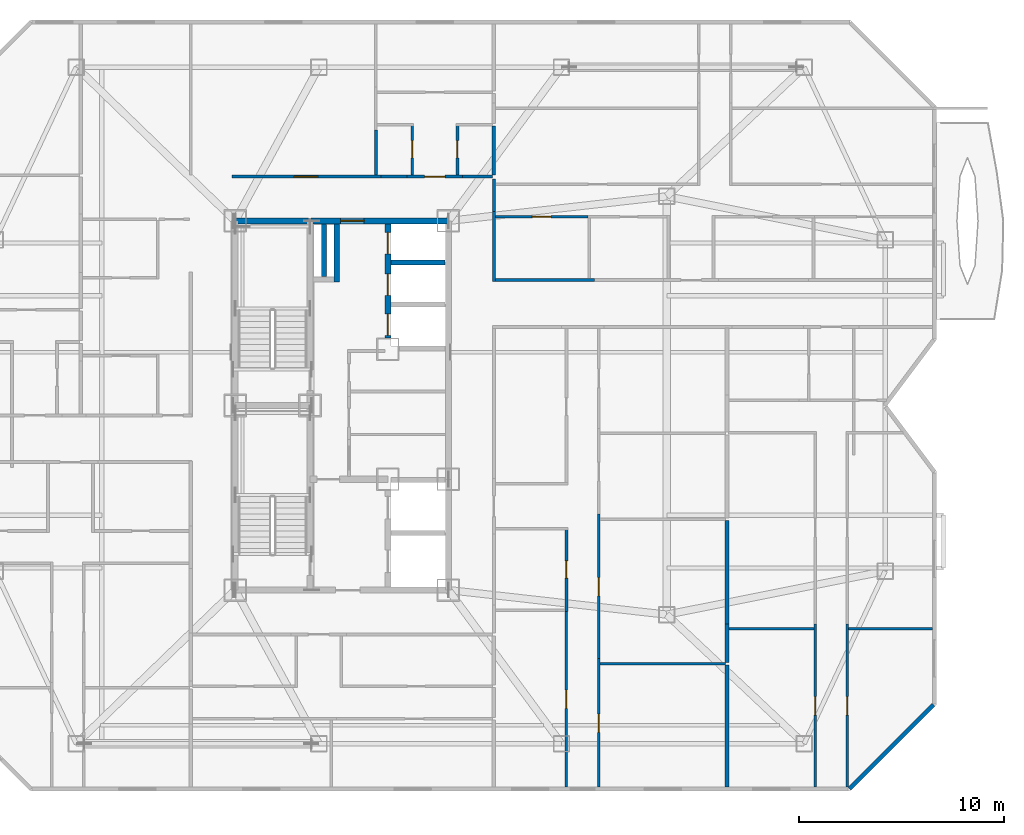
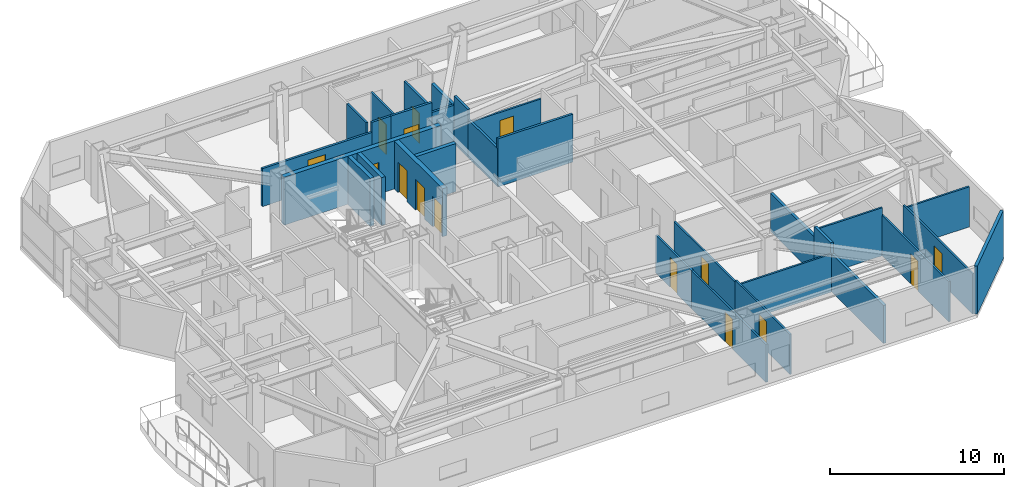
# One storey, part 15 of 20: 30 walls, 15 doors, 15 openings.
"""IFC4 building model written with IfcOpenShell, lengths in metres."""

from ifc_helpers import new_model, si_unit, direction, frame, frame_2d, origin, place, context, subcontext, project, spatial, rectangle, extrude, material, layer, layer_set, type_object, element, fill, save


model = new_model("IFC4")

# Units and contexts
model_context = context("Model", 3, precision=1e-05, world=origin(), true_north=direction((0.0, 1.0)))
body_context = subcontext(model_context, "Body", "Model", "MODEL_VIEW")
ifc_project = project(units=[si_unit("LENGTHUNIT", "METRE"), si_unit("AREAUNIT", "SQUARE_METRE"), si_unit("VOLUMEUNIT", "CUBIC_METRE"), si_unit("PLANEANGLEUNIT", "RADIAN"), si_unit("MASSUNIT", "GRAM", prefix="KILO")], contexts=[model_context])

# Site, building, storey
site_placement = place(None, origin())
site = spatial("IfcSite", under=ifc_project, at=site_placement, CompositionType="ELEMENT")
building_placement = place(site_placement, origin())
building = spatial("IfcBuilding", under=site, at=building_placement, Name="Khamvora Tower", CompositionType="ELEMENT")
storey_placement = place(building_placement, frame((0.0, 0.0, 203.35009765625)))
storey = spatial("IfcBuildingStorey", under=building, at=storey_placement, Name="L52", CompositionType="ELEMENT", Elevation=203.35009765625)

# Wall, opening, door
ifc_material_1 = material(Name="Concrete C50/60", Category="concrete")
ifc_layer_1 = layer(ifc_material_1, 0.300048828125)
ifc_layer_set_1 = layer_set([ifc_layer_1], Name="Concrete C50/60")
wall_type_1 = type_object("IfcWallType", Name="WAL-CORE-300", PredefinedType="SHEAR", material=ifc_layer_set_1)
wall_1_placement = place(storey_placement, frame((29.0, 37.0, 0.0), z_axis=(0.0, 0.0, 1.0), x_axis=(1.0, 0.0, 0.0)))
wall_1 = element("IfcWall", 1, at=wall_1_placement, inside=storey, type_object=wall_type_1, Name="L52 central core north wall", PredefinedType="SHEAR", context=body_context, shape_type="SweptSolid", body=[
    extrude(rectangle(XDim=10.39990234375, YDim=0.300048828125, at=frame_2d((5.199951171875, 0.0))), origin(), (0.0, 0.0, 1.0), 3.369873046875),
])
opening_1_placement = place(wall_1_placement, frame((5.139892578125, 0.0, 0.0)))
opening_1 = element("IfcOpeningElement", 2, at=opening_1_placement, cuts=wall_1, Name="Opening D-SC1", PredefinedType="OPENING", context=body_context, shape_type="SweptSolid", body=[
    extrude(rectangle(XDim=1.14990234375, YDim=2.199951171875, at=frame_2d((0.574951171875, 1.10009765625))), frame((0.0, 0.159912109375, 0.0), z_axis=(0.0, -1.0, 0.0), x_axis=(1.0, 0.0, 0.0)), (0.0, 0.0, 1.0), 0.320068359375),
])
ifc_material_2 = material(Name="Powder-Coated Steel and Hardwood Leaf", Category="steel")
door_type_1 = type_object("IfcDoorType", Name="DOR-SCHL-1150", OperationType="NOTDEFINED", PredefinedType="DOOR", material=ifc_material_2)
door_1_placement = place(opening_1_placement, origin())
door_1 = element("IfcDoor", 3, at=door_1_placement, inside=storey, type_object=door_type_1, Name="L52 north core lobby to corridor fire door", OperationType="SINGLE_SWING_RIGHT", OverallHeight=2.199951171875, OverallWidth=1.14990234375, PredefinedType="DOOR", context=body_context, shape_type="SweptSolid", body=[
    extrude(rectangle(XDim=1.14990234375, YDim=2.199951171875, at=frame_2d((0.574951171875, 1.10009765625))), frame((0.0, 0.02490234375, 0.0), z_axis=(0.0, -1.0, 0.0), x_axis=(1.0, 0.0, 0.0)), (0.0, 0.0, 1.0), 0.050048828125),
])
fill(opening_1, door_1)

# Wall, openings, doors
wall_2_placement = place(storey_placement, frame((36.449951171875, 31.300048828125, 0.0), z_axis=(0.0, 0.0, 1.0), x_axis=(0.0, 1.0, 0.0)))
wall_2 = element("IfcWall", 4, at=wall_2_placement, inside=storey, type_object=wall_type_1, Name="L52 central core lift bank central wall", PredefinedType="SHEAR", context=body_context, shape_type="SweptSolid", body=[
    extrude(rectangle(XDim=5.5458984375, YDim=0.300048828125, at=frame_2d((2.77294921875, 0.0))), origin(), (0.0, 0.0, 1.0), 3.369873046875),
])
opening_2_placement = place(wall_2_placement, frame((0.1201171875, 0.0, 0.0)))
opening_2 = element("IfcOpeningElement", 5, at=opening_2_placement, cuts=wall_2, Name="Opening LD-PL", PredefinedType="OPENING", context=body_context, shape_type="SweptSolid", body=[
    extrude(rectangle(XDim=1.050048828125, YDim=2.14990234375, at=frame_2d((0.52490234375, 1.074951171875))), frame((0.0, 0.159912109375, 0.0), z_axis=(0.0, -1.0, 0.0), x_axis=(1.0, 0.0, 0.0)), (0.0, 0.0, 1.0), 0.320068359375),
])
opening_3_placement = place(wall_2_placement, frame((2.074951171875, 0.0, 0.0)))
opening_3 = element("IfcOpeningElement", 6, at=opening_3_placement, cuts=wall_2, Name="Opening LD-PL", PredefinedType="OPENING", context=body_context, shape_type="SweptSolid", body=[
    extrude(rectangle(XDim=1.050048828125, YDim=2.14990234375, at=frame_2d((0.52490234375, 1.074951171875))), frame((0.0, 0.159912109375, 0.0), z_axis=(0.0, -1.0, 0.0), x_axis=(1.0, 0.0, 0.0)), (0.0, 0.0, 1.0), 0.320068359375),
])
opening_4_placement = place(wall_2_placement, frame((4.094970703125, 0.0, 0.0)))
opening_4 = element("IfcOpeningElement", 7, at=opening_4_placement, cuts=wall_2, Name="Opening LD-PL", PredefinedType="OPENING", context=body_context, shape_type="SweptSolid", body=[
    extrude(rectangle(XDim=1.050048828125, YDim=2.14990234375, at=frame_2d((0.52490234375, 1.074951171875))), frame((0.0, 0.159912109375, 0.0), z_axis=(0.0, -1.0, 0.0), x_axis=(1.0, 0.0, 0.0)), (0.0, 0.0, 1.0), 0.320068359375),
])
door_type_2 = type_object("IfcDoorType", Name="DOR-LIFT-1050", OperationType="SLIDING_TO_LEFT", PredefinedType="DOOR", material=ifc_material_2)
door_2_placement = place(opening_2_placement, origin())
door_2 = element("IfcDoor", 8, at=door_2_placement, inside=storey, type_object=door_type_2, Name="L52 lift landing sliding door PH-01", OperationType="SLIDING_TO_LEFT", OverallHeight=2.14990234375, OverallWidth=1.050048828125, PredefinedType="DOOR", context=body_context, shape_type="SweptSolid", body=[
    extrude(rectangle(XDim=1.050048828125, YDim=2.14990234375, at=frame_2d((0.52490234375, 1.074951171875))), frame((0.0, 0.02490234375, 0.0), z_axis=(0.0, -1.0, 0.0), x_axis=(1.0, 0.0, 0.0)), (0.0, 0.0, 1.0), 0.050048828125),
])
fill(opening_2, door_2)
door_3_placement = place(opening_3_placement, origin())
door_3 = element("IfcDoor", 9, at=door_3_placement, inside=storey, type_object=door_type_2, Name="L52 lift landing sliding door PH-02", OperationType="SLIDING_TO_LEFT", OverallHeight=2.14990234375, OverallWidth=1.050048828125, PredefinedType="DOOR", context=body_context, shape_type="SweptSolid", body=[
    extrude(rectangle(XDim=1.050048828125, YDim=2.14990234375, at=frame_2d((0.52490234375, 1.074951171875))), frame((0.0, 0.02490234375, 0.0), z_axis=(0.0, -1.0, 0.0), x_axis=(1.0, 0.0, 0.0)), (0.0, 0.0, 1.0), 0.050048828125),
])
fill(opening_3, door_3)
door_4_placement = place(opening_4_placement, origin())
door_4 = element("IfcDoor", 10, at=door_4_placement, inside=storey, type_object=door_type_2, Name="L52 lift landing sliding door PH-03", OperationType="SLIDING_TO_LEFT", OverallHeight=2.14990234375, OverallWidth=1.050048828125, PredefinedType="DOOR", context=body_context, shape_type="SweptSolid", body=[
    extrude(rectangle(XDim=1.050048828125, YDim=2.14990234375, at=frame_2d((0.52490234375, 1.074951171875))), frame((0.0, 0.02490234375, 0.0), z_axis=(0.0, -1.0, 0.0), x_axis=(1.0, 0.0, 0.0)), (0.0, 0.0, 1.0), 0.050048828125),
])
fill(opening_4, door_4)

# Wall, opening, door
ifc_material_3 = material(Name="Fire-Rated Drywall and Steel Stud", Category="steel")
ifc_layer_2 = layer(ifc_material_3, 0.14990234375)
ifc_layer_set_2 = layer_set([ifc_layer_2], Name="Fire-Rated Drywall and Steel Stud")
wall_type_2 = type_object("IfcWallType", Name="WAL-CORR-150", PredefinedType="STANDARD", material=ifc_layer_set_2)
wall_3_placement = place(storey_placement, frame((28.85009765625, 39.1650390625, 0.0), z_axis=(0.0, 0.0, 1.0), x_axis=(1.0, 0.0, 0.0)))
wall_3 = element("IfcWall", 11, at=wall_3_placement, inside=storey, type_object=wall_type_2, Name="L52 interior partition wall 007", PredefinedType="STANDARD", context=body_context, shape_type="SweptSolid", body=[
    extrude(rectangle(XDim=7.263916015625, YDim=0.14990234375, at=frame_2d((3.6318359375, 0.0))), origin(), (0.0, 0.0, 1.0), 2.664794921875),
])
opening_5_placement = place(wall_3_placement, frame((3.035888671875, 0.0, 0.0)))
opening_5 = element("IfcOpeningElement", 12, at=opening_5_placement, cuts=wall_3, Name="Opening D-SC1", PredefinedType="OPENING", context=body_context, shape_type="SweptSolid", body=[
    extrude(rectangle(XDim=1.14990234375, YDim=2.199951171875, at=frame_2d((0.574951171875, 1.10009765625))), frame((0.0, 0.0849609375, 0.0), z_axis=(0.0, -1.0, 0.0), x_axis=(1.0, 0.0, 0.0)), (0.0, 0.0, 1.0), 0.169921875),
])
door_5_placement = place(opening_5_placement, origin())
door_5 = element("IfcDoor", 13, at=door_5_placement, inside=storey, type_object=door_type_1, Name="L52 interior door COR-RFIT", OperationType="SINGLE_SWING_RIGHT", OverallHeight=2.199951171875, OverallWidth=1.14990234375, PredefinedType="DOOR", context=body_context, shape_type="SweptSolid", body=[
    extrude(rectangle(XDim=1.14990234375, YDim=2.199951171875, at=frame_2d((0.574951171875, 1.10009765625))), frame((0.0, 0.02490234375, 0.0), z_axis=(0.0, -1.0, 0.0), x_axis=(1.0, 0.0, 0.0)), (0.0, 0.0, 1.0), 0.050048828125),
])
fill(opening_5, door_5)

wall_4_placement = place(storey_placement, frame((37.39111328125, 39.1650390625, 0.0), z_axis=(0.0, 0.0, 1.0), x_axis=(1.0, 0.0, 0.0)))
wall_4 = element("IfcWall", 14, at=wall_4_placement, inside=storey, type_object=wall_type_2, Name="L52 interior partition wall 022", PredefinedType="STANDARD", context=body_context, shape_type="SweptSolid", body=[
    extrude(rectangle(XDim=2.697998046875, YDim=0.14990234375, at=frame_2d((1.34912109375, 0.0))), origin(), (0.0, 0.0, 1.0), 3.369873046875),
])
opening_6_placement = place(wall_4_placement, frame((0.84912109375, 0.0, 0.0)))
opening_6 = element("IfcOpeningElement", 15, at=opening_6_placement, cuts=wall_4, Name="Opening D-U1", PredefinedType="OPENING", context=body_context, shape_type="SweptSolid", body=[
    extrude(rectangle(XDim=1.0, YDim=2.14990234375, at=frame_2d((0.5, 1.074951171875))), frame((0.0, 0.0849609375, 0.0), z_axis=(0.0, -1.0, 0.0), x_axis=(1.0, 0.0, 0.0)), (0.0, 0.0, 1.0), 0.169921875),
])
door_type_3 = type_object("IfcDoorType", Name="DOR-UNIT-1000", OperationType="NOTDEFINED", PredefinedType="DOOR", material=ifc_material_2)
door_6_placement = place(opening_6_placement, origin())
door_6 = element("IfcDoor", 16, at=door_6_placement, inside=storey, type_object=door_type_3, Name="L52 interior door COR-52NAH", OperationType="SINGLE_SWING_LEFT", OverallHeight=2.14990234375, OverallWidth=1.0, PredefinedType="DOOR", context=body_context, shape_type="SweptSolid", body=[
    extrude(rectangle(XDim=1.0, YDim=2.14990234375, at=frame_2d((0.5, 1.074951171875))), frame((0.0, 0.02490234375, 0.0), z_axis=(0.0, -1.0, 0.0), x_axis=(1.0, 0.0, 0.0)), (0.0, 0.0, 1.0), 0.050048828125),
])
fill(opening_6, door_6)

# Walls
wall_5_placement = place(storey_placement, frame((36.114013671875, 39.1650390625, 0.0), z_axis=(0.0, 0.0, 1.0), x_axis=(1.0, 0.0, 0.0)))
element("IfcWall", 17, at=wall_5_placement, inside=storey, type_object=wall_type_2, Name="L52 interior partition wall 023", PredefinedType="STANDARD", context=body_context, shape_type="SweptSolid", body=[
    extrude(rectangle(XDim=1.277099609375, YDim=0.14990234375, at=frame_2d((0.638671875, 0.0))), origin(), (0.0, 0.0, 1.0), 3.369873046875),
])
wall_6_placement = place(storey_placement, frame((40.089111328125, 39.1650390625, 0.0), z_axis=(0.0, 0.0, 1.0), x_axis=(1.0, 0.0, 0.0)))
element("IfcWall", 18, at=wall_6_placement, inside=storey, type_object=wall_type_2, Name="L52 interior partition wall 024", PredefinedType="STANDARD", context=body_context, shape_type="SweptSolid", body=[
    extrude(rectangle(XDim=1.4609375, YDim=0.14990234375, at=frame_2d((0.73046875, 0.0))), origin(), (0.0, 0.0, 1.0), 2.664794921875),
])
wall_7_placement = place(storey_placement, frame((41.614990234375, 37.4560546875, 0.0), z_axis=(0.0, 0.0, 1.0), x_axis=(0.0, -1.0, 0.0)))
element("IfcWall", 19, at=wall_7_placement, inside=storey, type_object=wall_type_2, Name="L52 interior partition wall 035", PredefinedType="STANDARD", context=body_context, shape_type="SweptSolid", body=[
    extrude(rectangle(XDim=3.406005859375, YDim=0.14990234375, at=frame_2d((1.703125, 0.0))), origin(), (0.0, 0.0, 1.0), 2.664794921875),
])
wall_8_placement = place(storey_placement, frame((41.550048828125, 34.114990234375, 0.0), z_axis=(0.0, 0.0, 1.0), x_axis=(1.0, 0.0, 0.0)))
element("IfcWall", 20, at=wall_8_placement, inside=storey, type_object=wall_type_2, Name="L52 interior partition wall 036", PredefinedType="STANDARD", context=body_context, shape_type="SweptSolid", body=[
    extrude(rectangle(XDim=4.968994140625, YDim=0.14990234375, at=frame_2d((2.484375, 0.0))), origin(), (0.0, 0.0, 1.0), 3.369873046875),
])
wall_9_placement = place(storey_placement, frame((41.614990234375, 39.035888671875, 0.0), z_axis=(0.0, 0.0, 1.0), x_axis=(0.0, -1.0, 0.0)))
element("IfcWall", 21, at=wall_9_placement, inside=storey, type_object=wall_type_2, Name="L52 interior partition wall 038", PredefinedType="STANDARD", context=body_context, shape_type="SweptSolid", body=[
    extrude(rectangle(XDim=1.579833984375, YDim=0.14990234375, at=frame_2d((0.7900390625, 0.0))), origin(), (0.0, 0.0, 1.0), 3.369873046875),
])
ifc_material_4 = material(Name="Acoustic Double-Stud Fire Wall", Category="gypsum")
ifc_layer_3 = layer(ifc_material_4, 0.179931640625)
ifc_layer_set_3 = layer_set([ifc_layer_3], Name="Acoustic Double-Stud Fire Wall")
wall_type_3 = type_object("IfcWallType", Name="WAL-CORR-180", PredefinedType="STANDARD", material=ifc_layer_set_3)
wall_10_placement = place(storey_placement, frame((41.614990234375, 41.6298828125, 0.0), z_axis=(0.0, 0.0, 1.0), x_axis=(0.0, -1.0, 0.0)))
element("IfcWall", 22, at=wall_10_placement, inside=storey, type_object=wall_type_3, Name="L52 interior partition wall 100", PredefinedType="STANDARD", context=body_context, shape_type="SweptSolid", body=[
    extrude(rectangle(XDim=2.39990234375, YDim=0.179931640625, at=frame_2d((1.199951171875, 0.0))), origin(), (0.0, 0.0, 1.0), 2.664794921875),
])
wall_11_placement = place(storey_placement, frame((52.985107421875, 15.340087890625, 0.0), z_axis=(0.0, 0.0, 1.0), x_axis=(0.0, -1.0, 0.0)))
element("IfcWall", 23, at=wall_11_placement, inside=storey, type_object=wall_type_3, Name="L52 interior partition wall 113", PredefinedType="STANDARD", context=body_context, shape_type="SweptSolid", body=[
    extrude(rectangle(XDim=5.947998046875, YDim=0.179931640625, at=frame_2d((2.97412109375, 0.0))), origin(), (0.0, 0.0, 1.0), 2.664794921875),
])
wall_12_placement = place(storey_placement, frame((52.985107421875, 17.35205078125, 0.0), z_axis=(0.0, 0.0, 1.0), x_axis=(0.0, -1.0, 0.0)))
element("IfcWall", 24, at=wall_12_placement, inside=storey, type_object=wall_type_3, Name="L52 interior partition wall 115", PredefinedType="STANDARD", context=body_context, shape_type="SweptSolid", body=[
    extrude(rectangle(XDim=1.882080078125, YDim=0.179931640625, at=frame_2d((0.94091796875, 0.0))), origin(), (0.0, 0.0, 1.0), 3.369873046875),
])
wall_13_placement = place(storey_placement, frame((52.985107421875, 22.39501953125, 0.0), z_axis=(0.0, 0.0, 1.0), x_axis=(0.0, -1.0, 0.0)))
element("IfcWall", 25, at=wall_13_placement, inside=storey, type_object=wall_type_3, Name="L52 interior partition wall 116", PredefinedType="STANDARD", context=body_context, shape_type="SweptSolid", body=[
    extrude(rectangle(XDim=5.04296875, YDim=0.179931640625, at=frame_2d((2.521484375, 0.0))), origin(), (0.0, 0.0, 1.0), 2.664794921875),
])
ifc_material_5 = material(Name="Precast concrete C40/50", Category="concrete")
ifc_layer_4 = layer(ifc_material_5, 0.199951171875)
ifc_layer_set_4 = layer_set([ifc_layer_4], Name="Precast concrete C40/50")
wall_type_4 = type_object("IfcWallType", Name="WAL-EXT-200", PredefinedType="STANDARD", material=ifc_layer_set_4)
wall_14_placement = place(storey_placement, frame((63.056884765625, 13.39794921875, 0.0), z_axis=(0.0, 0.0, 1.0), x_axis=(-0.707106781187, -0.707106781187, 0.0)))
element("IfcWall", 26, at=wall_14_placement, inside=storey, type_object=wall_type_4, Name="L52 exterior facade wall 13.1", PredefinedType="STANDARD", context=body_context, shape_type="SweptSolid", body=[
    extrude(rectangle(XDim=5.79541015625, YDim=0.199951171875, at=frame_2d((2.897705078125, 0.0))), origin(), (0.0, 0.0, 1.0), 3.369873046875),
])

# Wall, opening, door
ifc_material_6 = material(Name="Gypsum Plasterboard Partition", Category="gypsum")
ifc_layer_5 = layer(ifc_material_6, 0.1201171875)
ifc_layer_set_5 = layer_set([ifc_layer_5], Name="Gypsum Plasterboard Partition")
wall_type_5 = type_object("IfcWallType", Name="WAL-PART-120", PredefinedType="PARTITIONING", material=ifc_layer_set_5)
wall_15_placement = place(storey_placement, frame((45.157958984375, 17.9541015625, 0.0), z_axis=(0.0, 0.0, 1.0), x_axis=(0.0, -1.0, 0.0)))
wall_15 = element("IfcWall", 27, at=wall_15_placement, inside=storey, type_object=wall_type_5, Name="L52 interior partition wall 102", PredefinedType="PARTITIONING", context=body_context, shape_type="SweptSolid", body=[
    extrude(rectangle(XDim=8.56201171875, YDim=0.1201171875, at=frame_2d((4.281005859375, 0.0))), origin(), (0.0, 0.0, 1.0), 2.664794921875),
])
opening_7_placement = place(wall_15_placement, frame((3.8310546875, 0.0, 0.0)))
opening_7 = element("IfcOpeningElement", 28, at=opening_7_placement, cuts=wall_15, Name="Opening D-RM1", PredefinedType="OPENING", context=body_context, shape_type="SweptSolid", body=[
    extrude(rectangle(XDim=0.89990234375, YDim=2.10009765625, at=frame_2d((0.449951171875, 1.050048828125))), frame((0.0, 0.070068359375, 0.0), z_axis=(0.0, -1.0, 0.0), x_axis=(1.0, 0.0, 0.0)), (0.0, 0.0, 1.0), 0.14013671875),
])
door_type_4 = type_object("IfcDoorType", Name="DOR-ROOM-900", OperationType="NOTDEFINED", PredefinedType="DOOR", material=ifc_material_2)
door_7_placement = place(opening_7_placement, origin())
door_7 = element("IfcDoor", 29, at=door_7_placement, inside=storey, type_object=door_type_4, Name="L52 interior door 52EAW1-52EAH", OperationType="SINGLE_SWING_LEFT", OverallHeight=2.10009765625, OverallWidth=0.89990234375, PredefinedType="DOOR", context=body_context, shape_type="SweptSolid", body=[
    extrude(rectangle(XDim=0.89990234375, YDim=2.10009765625, at=frame_2d((0.449951171875, 1.050048828125))), frame((0.0, 0.02490234375, 0.0), z_axis=(0.0, -1.0, 0.0), x_axis=(1.0, 0.0, 0.0)), (0.0, 0.0, 1.0), 0.050048828125),
])
fill(opening_7, door_7)

wall_16_placement = place(storey_placement, frame((46.738037109375, 15.654052734375, 0.0), z_axis=(0.0, 0.0, 1.0), x_axis=(0.0, -1.0, 0.0)))
wall_16 = element("IfcWall", 30, at=wall_16_placement, inside=storey, type_object=wall_type_5, Name="L52 interior partition wall 108", PredefinedType="PARTITIONING", context=body_context, shape_type="SweptSolid", body=[
    extrude(rectangle(XDim=6.261962890625, YDim=0.1201171875, at=frame_2d((3.130859375, 0.0))), origin(), (0.0, 0.0, 1.0), 2.81591796875),
])
opening_8_placement = place(wall_16_placement, frame((2.701904296875, 0.0, 0.0)))
opening_8 = element("IfcOpeningElement", 31, at=opening_8_placement, cuts=wall_16, Name="Opening D-RM1", PredefinedType="OPENING", context=body_context, shape_type="SweptSolid", body=[
    extrude(rectangle(XDim=0.89990234375, YDim=2.10009765625, at=frame_2d((0.449951171875, 1.050048828125))), frame((0.0, 0.070068359375, 0.0), z_axis=(0.0, -1.0, 0.0), x_axis=(1.0, 0.0, 0.0)), (0.0, 0.0, 1.0), 0.14013671875),
])
door_8_placement = place(opening_8_placement, origin())
door_8 = element("IfcDoor", 32, at=door_8_placement, inside=storey, type_object=door_type_4, Name="L52 interior door 52EAH-52EAR1", OperationType="SINGLE_SWING_RIGHT", OverallHeight=2.10009765625, OverallWidth=0.89990234375, PredefinedType="DOOR", context=body_context, shape_type="SweptSolid", body=[
    extrude(rectangle(XDim=0.89990234375, YDim=2.10009765625, at=frame_2d((0.449951171875, 1.050048828125))), frame((0.0, 0.02490234375, 0.0), z_axis=(0.0, -1.0, 0.0), x_axis=(1.0, 0.0, 0.0)), (0.0, 0.0, 1.0), 0.050048828125),
])
fill(opening_8, door_8)

wall_17_placement = place(storey_placement, frame((46.738037109375, 22.7099609375, 0.0), z_axis=(0.0, 0.0, 1.0), x_axis=(0.0, -1.0, 0.0)))
wall_17 = element("IfcWall", 33, at=wall_17_placement, inside=storey, type_object=wall_type_5, Name="L52 interior partition wall 109", PredefinedType="PARTITIONING", context=body_context, shape_type="SweptSolid", body=[
    extrude(rectangle(XDim=7.055908203125, YDim=0.1201171875, at=frame_2d((3.52783203125, 0.0))), origin(), (0.0, 0.0, 1.0), 2.664794921875),
])
opening_9_placement = place(wall_17_placement, frame((3.09912109375, 0.0, 0.0)))
opening_9 = element("IfcOpeningElement", 34, at=opening_9_placement, cuts=wall_17, Name="Opening D-RM1", PredefinedType="OPENING", context=body_context, shape_type="SweptSolid", body=[
    extrude(rectangle(XDim=0.89990234375, YDim=2.10009765625, at=frame_2d((0.449951171875, 1.050048828125))), frame((0.0, 0.070068359375, 0.0), z_axis=(0.0, -1.0, 0.0), x_axis=(1.0, 0.0, 0.0)), (0.0, 0.0, 1.0), 0.14013671875),
])
door_9_placement = place(opening_9_placement, origin())
door_9 = element("IfcDoor", 35, at=door_9_placement, inside=storey, type_object=door_type_4, Name="L52 interior door 52EAH-52EAR2", OperationType="SINGLE_SWING_LEFT", OverallHeight=2.10009765625, OverallWidth=0.89990234375, PredefinedType="DOOR", context=body_context, shape_type="SweptSolid", body=[
    extrude(rectangle(XDim=0.89990234375, YDim=2.10009765625, at=frame_2d((0.449951171875, 1.050048828125))), frame((0.0, 0.02490234375, 0.0), z_axis=(0.0, -1.0, 0.0), x_axis=(1.0, 0.0, 0.0)), (0.0, 0.0, 1.0), 0.050048828125),
])
fill(opening_9, door_9)

# Wall
wall_18_placement = place(storey_placement, frame((46.7919921875, 15.405029296875, 0.0), z_axis=(0.0, 0.0, 1.0), x_axis=(1.0, 0.0, 0.0)))
element("IfcWall", 36, at=wall_18_placement, inside=storey, type_object=wall_type_5, Name="L52 interior partition wall 112", PredefinedType="PARTITIONING", context=body_context, shape_type="SweptSolid", body=[
    extrude(rectangle(XDim=6.1279296875, YDim=0.1201171875, at=frame_2d((3.06396484375, 0.0))), origin(), (0.0, 0.0, 1.0), 2.664794921875),
])

# Wall, opening, door
wall_19_placement = place(storey_placement, frame((57.284912109375, 9.39208984375, 0.0), z_axis=(0.0, 0.0, 1.0), x_axis=(0.0, 1.0, 0.0)))
wall_19 = element("IfcWall", 37, at=wall_19_placement, inside=storey, type_object=wall_type_5, Name="L52 interior partition wall 125", PredefinedType="PARTITIONING", context=body_context, shape_type="SweptSolid", body=[
    extrude(rectangle(XDim=7.9599609375, YDim=0.1201171875, at=frame_2d((3.97998046875, 0.0))), origin(), (0.0, 0.0, 1.0), 2.81591796875),
])
opening_10_placement = place(wall_19_placement, frame((3.509033203125, 0.0, 0.0)))
opening_10 = element("IfcOpeningElement", 38, at=opening_10_placement, cuts=wall_19, Name="Opening D-RM1", PredefinedType="OPENING", context=body_context, shape_type="SweptSolid", body=[
    extrude(rectangle(XDim=0.89990234375, YDim=2.10009765625, at=frame_2d((0.449951171875, 1.050048828125))), frame((0.0, 0.070068359375, 0.0), z_axis=(0.0, -1.0, 0.0), x_axis=(1.0, 0.0, 0.0)), (0.0, 0.0, 1.0), 0.14013671875),
])
door_10_placement = place(opening_10_placement, origin())
door_10 = element("IfcDoor", 39, at=door_10_placement, inside=storey, type_object=door_type_4, Name="L52 interior door 52EBH-52EBL", OperationType="SINGLE_SWING_RIGHT", OverallHeight=2.10009765625, OverallWidth=0.89990234375, PredefinedType="DOOR", context=body_context, shape_type="SweptSolid", body=[
    extrude(rectangle(XDim=0.89990234375, YDim=2.10009765625, at=frame_2d((0.449951171875, 1.050048828125))), frame((0.0, 0.02490234375, 0.0), z_axis=(0.0, -1.0, 0.0), x_axis=(1.0, 0.0, 0.0)), (0.0, 0.0, 1.0), 0.050048828125),
])
fill(opening_10, door_10)

wall_20_placement = place(storey_placement, frame((58.85498046875, 17.35205078125, 0.0), z_axis=(0.0, 0.0, 1.0), x_axis=(0.0, -1.0, 0.0)))
wall_20 = element("IfcWall", 40, at=wall_20_placement, inside=storey, type_object=wall_type_5, Name="L52 interior partition wall 128", PredefinedType="PARTITIONING", context=body_context, shape_type="SweptSolid", body=[
    extrude(rectangle(XDim=7.9599609375, YDim=0.1201171875, at=frame_2d((3.97998046875, 0.0))), origin(), (0.0, 0.0, 1.0), 2.81591796875),
])
opening_11_placement = place(wall_20_placement, frame((3.551025390625, 0.0, 0.0)))
opening_11 = element("IfcOpeningElement", 41, at=opening_11_placement, cuts=wall_20, Name="Opening D-RM1", PredefinedType="OPENING", context=body_context, shape_type="SweptSolid", body=[
    extrude(rectangle(XDim=0.89990234375, YDim=2.10009765625, at=frame_2d((0.449951171875, 1.050048828125))), frame((0.0, 0.070068359375, 0.0), z_axis=(0.0, -1.0, 0.0), x_axis=(1.0, 0.0, 0.0)), (0.0, 0.0, 1.0), 0.14013671875),
])
door_11_placement = place(opening_11_placement, origin())
door_11 = element("IfcDoor", 42, at=door_11_placement, inside=storey, type_object=door_type_4, Name="L52 interior door 52EBH-52EBR3", OperationType="SINGLE_SWING_RIGHT", OverallHeight=2.10009765625, OverallWidth=0.89990234375, PredefinedType="DOOR", context=body_context, shape_type="SweptSolid", body=[
    extrude(rectangle(XDim=0.89990234375, YDim=2.10009765625, at=frame_2d((0.449951171875, 1.050048828125))), frame((0.0, 0.02490234375, 0.0), z_axis=(0.0, -1.0, 0.0), x_axis=(1.0, 0.0, 0.0)), (0.0, 0.0, 1.0), 0.050048828125),
])
fill(opening_11, door_11)

# Walls
wall_21_placement = place(storey_placement, frame((53.06689453125, 17.10302734375, 0.0), z_axis=(0.0, 0.0, 1.0), x_axis=(1.0, 0.0, 0.0)))
element("IfcWall", 43, at=wall_21_placement, inside=storey, type_object=wall_type_5, Name="L52 interior partition wall 131", PredefinedType="PARTITIONING", context=body_context, shape_type="SweptSolid", body=[
    extrude(rectangle(XDim=4.1640625, YDim=0.1201171875, at=frame_2d((2.08203125, 0.0))), origin(), (0.0, 0.0, 1.0), 3.369873046875),
])
wall_22_placement = place(storey_placement, frame((58.908935546875, 17.10302734375, 0.0), z_axis=(0.0, 0.0, 1.0), x_axis=(1.0, 0.0, 0.0)))
element("IfcWall", 44, at=wall_22_placement, inside=storey, type_object=wall_type_5, Name="L52 interior partition wall 132", PredefinedType="PARTITIONING", context=body_context, shape_type="SweptSolid", body=[
    extrude(rectangle(XDim=4.09912109375, YDim=0.1201171875, at=frame_2d((2.049560546875, 0.0))), origin(), (0.0, 0.0, 1.0), 2.81591796875),
])

# Wall, opening, door
wall_23_placement = place(storey_placement, frame((41.681884765625, 37.20703125, 0.0), z_axis=(0.0, 0.0, 1.0), x_axis=(1.0, 0.0, 0.0)))
wall_23 = element("IfcWall", 45, at=wall_23_placement, inside=storey, type_object=wall_type_5, Name="L52 interior partition wall 133", PredefinedType="PARTITIONING", context=body_context, shape_type="SweptSolid", body=[
    extrude(rectangle(XDim=4.523193359375, YDim=0.1201171875, at=frame_2d((2.26171875, 0.0))), origin(), (0.0, 0.0, 1.0), 2.664794921875),
])
opening_12_placement = place(wall_23_placement, frame((1.81103515625, 0.0, 0.0)))
opening_12 = element("IfcOpeningElement", 46, at=opening_12_placement, cuts=wall_23, Name="Opening D-RM1", PredefinedType="OPENING", context=body_context, shape_type="SweptSolid", body=[
    extrude(rectangle(XDim=0.89990234375, YDim=2.10009765625, at=frame_2d((0.449951171875, 1.050048828125))), frame((0.0, 0.070068359375, 0.0), z_axis=(0.0, -1.0, 0.0), x_axis=(1.0, 0.0, 0.0)), (0.0, 0.0, 1.0), 0.14013671875),
])
door_12_placement = place(opening_12_placement, origin())
door_12 = element("IfcDoor", 47, at=door_12_placement, inside=storey, type_object=door_type_4, Name="L52 interior door 52ECW1-52ECH", OperationType="SINGLE_SWING_RIGHT", OverallHeight=2.10009765625, OverallWidth=0.89990234375, PredefinedType="DOOR", context=body_context, shape_type="SweptSolid", body=[
    extrude(rectangle(XDim=0.89990234375, YDim=2.10009765625, at=frame_2d((0.449951171875, 1.050048828125))), frame((0.0, 0.02490234375, 0.0), z_axis=(0.0, -1.0, 0.0), x_axis=(1.0, 0.0, 0.0)), (0.0, 0.0, 1.0), 0.050048828125),
])
fill(opening_12, door_12)

# Walls
ifc_material_7 = material(Name="Concrete C40/50", Category="concrete")
ifc_layer_6 = layer(ifc_material_7, 0.25)
ifc_layer_set_6 = layer_set([ifc_layer_6], Name="Concrete C40/50")
wall_type_6 = type_object("IfcWallType", Name="WAL-PODS-250", PredefinedType="SHEAR", material=ifc_layer_set_6)
wall_24_placement = place(storey_placement, frame((36.60400390625, 34.97509765625, 0.0), z_axis=(0.0, 0.0, 1.0), x_axis=(1.0, 0.0, 0.0)))
element("IfcWall", 48, at=wall_24_placement, inside=storey, type_object=wall_type_6, Name="L52 lift shaft divider wall PH-02", PredefinedType="SHEAR", context=body_context, shape_type="SweptSolid", body=[
    extrude(rectangle(XDim=2.64208984375, YDim=0.25, at=frame_2d((1.321044921875, 0.0))), origin(), (0.0, 0.0, 1.0), 3.369873046875),
])
wall_25_placement = place(storey_placement, frame((33.955078125, 34.02490234375, 0.0), z_axis=(0.0, 0.0, 1.0), x_axis=(0.0, 1.0, 0.0)))
element("IfcWall", 49, at=wall_25_placement, inside=storey, type_object=wall_type_6, Name="L52 vertical MEP riser shaft east enclosure wall", PredefinedType="SHEAR", context=body_context, shape_type="SweptSolid", body=[
    extrude(rectangle(XDim=2.821044921875, YDim=0.25, at=frame_2d((1.41064453125, 0.0))), origin(), (0.0, 0.0, 1.0), 3.369873046875),
])
wall_26_placement = place(storey_placement, frame((33.340087890625, 34.279052734375, 0.0), z_axis=(0.0, 0.0, 1.0), x_axis=(0.0, 1.0, 0.0)))
element("IfcWall", 50, at=wall_26_placement, inside=storey, type_object=wall_type_6, Name="L52 vertical MEP riser shaft divider enclosure wall", PredefinedType="SHEAR", context=body_context, shape_type="SweptSolid", body=[
    extrude(rectangle(XDim=2.56689453125, YDim=0.25, at=frame_2d((1.283447265625, 0.0))), origin(), (0.0, 0.0, 1.0), 3.369873046875),
])
ifc_material_8 = material(Name="Moisture-Resistant Plasterboard Partition", Category="gypsum")
ifc_layer_7 = layer(ifc_material_8, 0.135009765625)
ifc_layer_set_7 = layer_set([ifc_layer_7], Name="Moisture-Resistant Plasterboard Partition")
wall_type_7 = type_object("IfcWallType", Name="WAL-WET-135", PredefinedType="PARTITIONING", material=ifc_layer_set_7)
wall_27_placement = place(storey_placement, frame((35.864990234375, 41.446044921875, 0.0), z_axis=(0.0, 0.0, 1.0), x_axis=(0.0, -1.0, 0.0)))
element("IfcWall", 51, at=wall_27_placement, inside=storey, type_object=wall_type_7, Name="L52 interior partition wall 044", PredefinedType="PARTITIONING", context=body_context, shape_type="SweptSolid", body=[
    extrude(rectangle(XDim=2.214111328125, YDim=0.135009765625, at=frame_2d((1.10693359375, 0.0))), origin(), (0.0, 0.0, 1.0), 3.369873046875),
])

# Wall, opening, door
wall_28_placement = place(storey_placement, frame((37.639892578125, 39.23193359375, 0.0), z_axis=(0.0, 0.0, 1.0), x_axis=(0.0, 1.0, 0.0)))
wall_28 = element("IfcWall", 52, at=wall_28_placement, inside=storey, type_object=wall_type_7, Name="L52 interior partition wall 093", PredefinedType="PARTITIONING", context=body_context, shape_type="SweptSolid", body=[
    extrude(rectangle(XDim=2.528076171875, YDim=0.135009765625, at=frame_2d((1.26416015625, 0.0))), origin(), (0.0, 0.0, 1.0), 3.369873046875),
])
opening_13_placement = place(wall_28_placement, frame((0.839111328125, 0.0, 0.0)))
opening_13 = element("IfcOpeningElement", 53, at=opening_13_placement, cuts=wall_28, Name="Opening D-WC1", PredefinedType="OPENING", context=body_context, shape_type="SweptSolid", body=[
    extrude(rectangle(XDim=0.85009765625, YDim=2.10009765625, at=frame_2d((0.425048828125, 1.050048828125))), frame((0.0, 0.077392578125, 0.0), z_axis=(0.0, -1.0, 0.0), x_axis=(1.0, 0.0, 0.0)), (0.0, 0.0, 1.0), 0.155029296875),
])
door_type_5 = type_object("IfcDoorType", Name="DOR-WET-850", OperationType="NOTDEFINED", PredefinedType="DOOR", material=ifc_material_2)
door_13_placement = place(opening_13_placement, origin())
door_13 = element("IfcDoor", 54, at=door_13_placement, inside=storey, type_object=door_type_5, Name="L52 interior door 52NAH-52NAB", OperationType="SINGLE_SWING_RIGHT", OverallHeight=2.10009765625, OverallWidth=0.85009765625, PredefinedType="DOOR", context=body_context, shape_type="SweptSolid", body=[
    extrude(rectangle(XDim=0.85009765625, YDim=2.10009765625, at=frame_2d((0.425048828125, 1.050048828125))), frame((0.0, 0.02490234375, 0.0), z_axis=(0.0, -1.0, 0.0), x_axis=(1.0, 0.0, 0.0)), (0.0, 0.0, 1.0), 0.050048828125),
])
fill(opening_13, door_13)

wall_29_placement = place(storey_placement, frame((39.840087890625, 41.760009765625, 0.0), z_axis=(0.0, 0.0, 1.0), x_axis=(0.0, -1.0, 0.0)))
wall_29 = element("IfcWall", 55, at=wall_29_placement, inside=storey, type_object=wall_type_7, Name="L52 interior partition wall 096", PredefinedType="PARTITIONING", context=body_context, shape_type="SweptSolid", body=[
    extrude(rectangle(XDim=2.528076171875, YDim=0.135009765625, at=frame_2d((1.26416015625, 0.0))), origin(), (0.0, 0.0, 1.0), 3.369873046875),
])
opening_14_placement = place(wall_29_placement, frame((0.839111328125, 0.0, 0.0)))
opening_14 = element("IfcOpeningElement", 56, at=opening_14_placement, cuts=wall_29, Name="Opening D-RM2", PredefinedType="OPENING", context=body_context, shape_type="SweptSolid", body=[
    extrude(rectangle(XDim=0.85009765625, YDim=2.10009765625, at=frame_2d((0.425048828125, 1.050048828125))), frame((0.0, 0.077392578125, 0.0), z_axis=(0.0, -1.0, 0.0), x_axis=(1.0, 0.0, 0.0)), (0.0, 0.0, 1.0), 0.155029296875),
])
door_type_6 = type_object("IfcDoorType", Name="DOR-ROOM-850", OperationType="NOTDEFINED", PredefinedType="DOOR", material=ifc_material_2)
door_14_placement = place(opening_14_placement, origin())
door_14 = element("IfcDoor", 57, at=door_14_placement, inside=storey, type_object=door_type_6, Name="L52 interior door 52NAH-52NAK", OperationType="SINGLE_SWING_LEFT", OverallHeight=2.10009765625, OverallWidth=0.85009765625, PredefinedType="DOOR", context=body_context, shape_type="SweptSolid", body=[
    extrude(rectangle(XDim=0.85009765625, YDim=2.10009765625, at=frame_2d((0.425048828125, 1.050048828125))), frame((0.0, 0.02490234375, 0.0), z_axis=(0.0, -1.0, 0.0), x_axis=(1.0, 0.0, 0.0)), (0.0, 0.0, 1.0), 0.050048828125),
])
fill(opening_14, door_14)

wall_30_placement = place(storey_placement, frame((45.157958984375, 17.9541015625, 0.0), z_axis=(0.0, 0.0, 1.0), x_axis=(0.0, 1.0, 0.0)))
wall_30 = element("IfcWall", 58, at=wall_30_placement, inside=storey, type_object=wall_type_7, Name="L52 interior partition wall 104", PredefinedType="PARTITIONING", context=body_context, shape_type="SweptSolid", body=[
    extrude(rectangle(XDim=4.094970703125, YDim=0.135009765625, at=frame_2d((2.04736328125, 0.0))), origin(), (0.0, 0.0, 1.0), 2.664794921875),
])
opening_15_placement = place(wall_30_placement, frame((1.6220703125, 0.0, 0.0)))
opening_15 = element("IfcOpeningElement", 59, at=opening_15_placement, cuts=wall_30, Name="Opening D-WC1", PredefinedType="OPENING", context=body_context, shape_type="SweptSolid", body=[
    extrude(rectangle(XDim=0.85009765625, YDim=2.10009765625, at=frame_2d((0.425048828125, 1.050048828125))), frame((0.0, 0.077392578125, 0.0), z_axis=(0.0, -1.0, 0.0), x_axis=(1.0, 0.0, 0.0)), (0.0, 0.0, 1.0), 0.155029296875),
])
door_15_placement = place(opening_15_placement, origin())
door_15 = element("IfcDoor", 60, at=door_15_placement, inside=storey, type_object=door_type_5, Name="L52 interior door 52EAH-52EAB", OperationType="SINGLE_SWING_RIGHT", OverallHeight=2.10009765625, OverallWidth=0.85009765625, PredefinedType="DOOR", context=body_context, shape_type="SweptSolid", body=[
    extrude(rectangle(XDim=0.85009765625, YDim=2.10009765625, at=frame_2d((0.425048828125, 1.050048828125))), frame((0.0, 0.02490234375, 0.0), z_axis=(0.0, -1.0, 0.0), x_axis=(1.0, 0.0, 0.0)), (0.0, 0.0, 1.0), 0.050048828125),
])
fill(opening_15, door_15)

save(model, "model.ifc")
